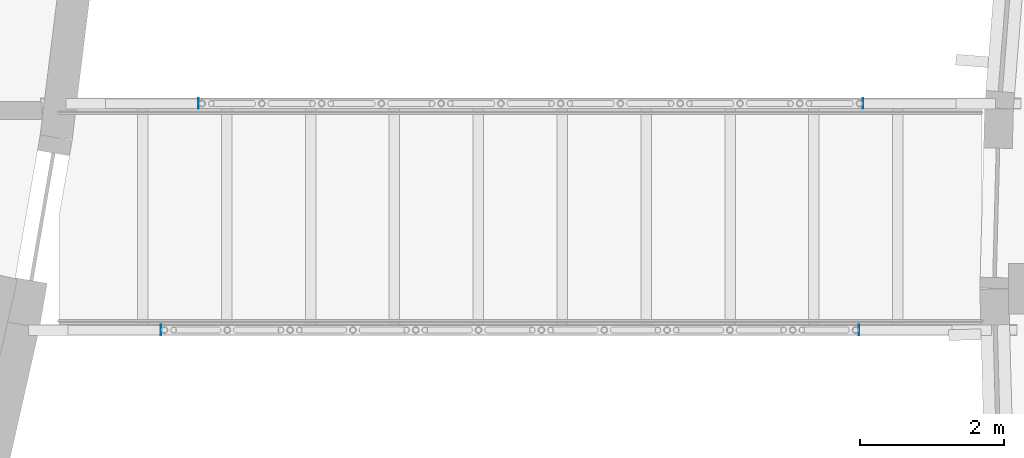
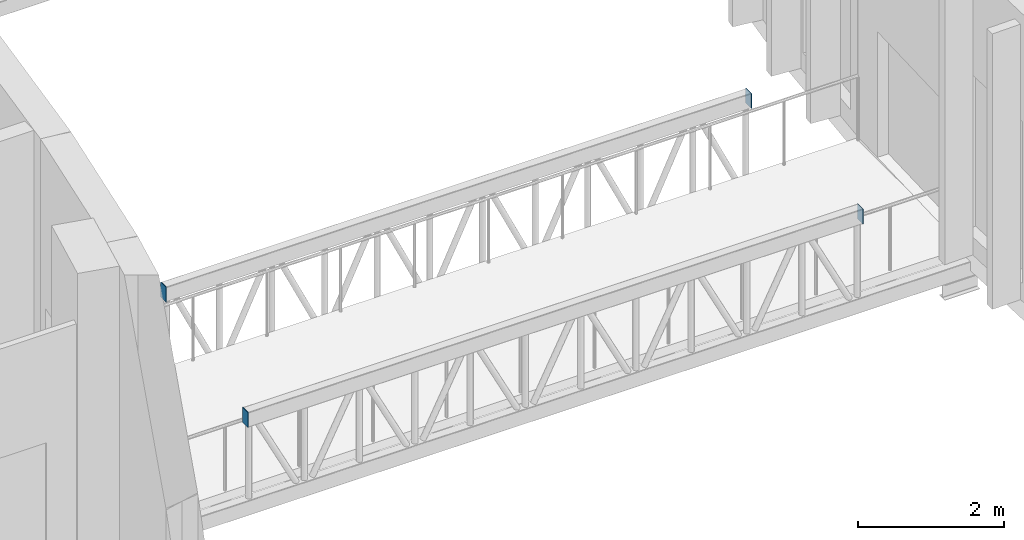
# One storey, part 49 of 93: 4 plates.
"""IFC4 building model written with IfcOpenShell, lengths in metres."""

import ifcopenshell
import ifcopenshell.guid

model = None  # the IFC model being written
_history = None  # IfcOwnerHistory: only IFC2X3 demands one
_inside = {}  # id of a spatial element -> (the spatial element, [elements in it])
_under = {}  # id of a project, library or spatial element -> (it, [spatial elements below it])
_declared = {}  # id of a project -> (the project, [libraries it declares])
_typed = {}  # id of a type object -> (the type object, [elements of that type])
_made_of = {}  # id of a material, layer set ... -> (it, [elements and type objects made of it])


def new_model(schema):
    """Start an empty IFC model of exactly this schema.

    Asked for "IFC4X3", IfcOpenShell would pick the latest addendum, in which some entities
    have other attributes; the version numbers below select the first issue.
    IFC2X3 requires an IfcOwnerHistory on every rooted entity: one is made here for all.
    """
    global model, _history
    if schema == "IFC4X3":
        model = ifcopenshell.file(schema_version=(4, 3, 0, 0))
    else:
        model = ifcopenshell.file(schema=schema)
    _inside.clear()
    _under.clear()
    _declared.clear()
    _typed.clear()
    _made_of.clear()
    _history = None
    if model.schema == "IFC2X3":
        org = make("IfcOrganization", Name="unknown")
        user = make(
            "IfcPersonAndOrganization",
            ThePerson=make("IfcPerson", FamilyName="unknown"),
            TheOrganization=org,
        )
        app = make(
            "IfcApplication",
            ApplicationDeveloper=org,
            Version="unknown",
            ApplicationFullName="unknown",
            ApplicationIdentifier="unknown",
        )
        _history = make(
            "IfcOwnerHistory",
            OwningUser=user,
            OwningApplication=app,
            ChangeAction="ADDED",
            CreationDate=0,
        )
    return model


def make(cls, **values):
    """One entity of the class cls with the attributes given. An attribute that is None is left unset."""
    return model.create_entity(
        cls, **{name: value for name, value in values.items() if value is not None}
    )


def rooted(cls, **values):
    """An entity with a GlobalId (a new one), such as an element, a storey or a relation."""
    return make(cls, GlobalId=ifcopenshell.guid.new(), OwnerHistory=_history, **values)


def si_unit(unit_type, name, prefix=None):
    """IfcSIUnit, for example si_unit("LENGTHUNIT", "METRE", prefix="MILLI")."""
    return make("IfcSIUnit", UnitType=unit_type, Prefix=prefix, Name=name)


def assignment(units):
    """IfcUnitAssignment: the units of a project."""
    return None if units is None else make("IfcUnitAssignment", Units=units)


def point(xyz):
    """IfcCartesianPoint."""
    return None if xyz is None else make("IfcCartesianPoint", Coordinates=xyz)


def direction(xyz):
    """IfcDirection."""
    return None if xyz is None else make("IfcDirection", DirectionRatios=xyz)


def frame(location, z_axis=None, x_axis=None):
    """IfcAxis2Placement3D, a coordinate frame: its origin and axes. An axis left out is left unset."""
    return make(
        "IfcAxis2Placement3D",
        Location=point(location),
        Axis=direction(z_axis),
        RefDirection=direction(x_axis),
    )


def frame_2d(location, x_axis=None):
    """IfcAxis2Placement2D, a coordinate frame in the plane: its origin and x axis."""
    return make(
        "IfcAxis2Placement2D", Location=point(location), RefDirection=direction(x_axis)
    )


def origin():
    """The frame at (0, 0, 0) with its axes left unset."""
    return frame((0.0, 0.0, 0.0))


def origin_2d():
    """The frame at (0, 0) in the plane with its x axis left unset."""
    return frame_2d((0.0, 0.0))


def place(relative_to, where):
    """IfcLocalPlacement: puts the frame where relative to a parent placement (None: the world)."""
    return make(
        "IfcLocalPlacement", PlacementRelTo=relative_to, RelativePlacement=where
    )


def context(
    kind, dimensions, precision=None, world=None, true_north=None, identifier=None
):
    """IfcGeometricRepresentationContext, for example the 3D "Model" context."""
    return make(
        "IfcGeometricRepresentationContext",
        ContextIdentifier=identifier,
        ContextType=kind,
        CoordinateSpaceDimension=dimensions,
        Precision=precision,
        WorldCoordinateSystem=world,
        TrueNorth=true_north,
    )


def subcontext(parent, identifier, kind, view, scale=None):
    """IfcGeometricRepresentationSubContext, for example "Body" below "Model"."""
    return make(
        "IfcGeometricRepresentationSubContext",
        ContextIdentifier=identifier,
        ContextType=kind,
        ParentContext=parent,
        TargetScale=scale,
        TargetView=view,
    )


def project(units=None, contexts=None):
    """IfcProject with its units and contexts."""
    return rooted(
        "IfcProject",
        Name="project",
        RepresentationContexts=contexts,
        UnitsInContext=assignment(units),
    )


def spatial(cls, under=None, at=None, **own):
    """A site, building, storey or space (cls), placed at a placement, below another one or the project."""
    s = rooted(cls, ObjectPlacement=at, **own)
    if under is not None:
        _under.setdefault(under.id(), (under, []))[1].append(s)
    return s


def profile(cls, at=None, kind="AREA", **sizes):
    """A parametric profile (cls). Its sizes go by their IFC names, for example OverallWidth=200.0."""
    return make(cls, ProfileType=kind, Position=at, **sizes)


def rectangle(**sizes):
    """IfcRectangleProfileDef."""
    return profile("IfcRectangleProfileDef", **sizes)


def extrude(swept, where, along, depth):
    """IfcExtrudedAreaSolid: the profile swept, set in the frame where, extruded along a direction by depth."""
    return make(
        "IfcExtrudedAreaSolid",
        SweptArea=swept,
        Position=where,
        ExtrudedDirection=direction(along),
        Depth=depth,
    )


def shape(context_of_items, identifier, shape_type, items):
    """IfcShapeRepresentation: the items that make up one representation, for example the "Body"."""
    return make(
        "IfcShapeRepresentation",
        ContextOfItems=context_of_items,
        RepresentationIdentifier=identifier,
        RepresentationType=shape_type,
        Items=items,
    )


def material(Name=None, Category=None):
    """IfcMaterial."""
    return make("IfcMaterial", Name=Name, Category=Category)


def layer(
    of_material, thickness, ventilated=None, Name=None, Category=None, Priority=None
):
    """IfcMaterialLayer: one layer of a wall or slab, of a material (None: an air gap)."""
    return make(
        "IfcMaterialLayer",
        Material=of_material,
        LayerThickness=thickness,
        IsVentilated=ventilated,
        Name=Name,
        Category=Category,
        Priority=Priority,
    )


def layer_set(layers, Name=None):
    """IfcMaterialLayerSet."""
    return make("IfcMaterialLayerSet", MaterialLayers=layers, LayerSetName=Name)


def made_of(thing, what):
    """Note that an element or type object is made of a material, layer set ...; save() writes the relation."""
    if what is not None:
        _made_of.setdefault(what.id(), (what, []))[1].append(thing)
    return thing


def type_object(cls, material=None, **own):
    """A type object (cls), such as IfcWallType, which elements share."""
    return made_of(rooted(cls, **own), material)


def element(
    cls,
    number,
    at=None,
    inside=None,
    cuts=None,
    type_object=None,
    material=None,
    context=None,
    identifier="Body",
    shape_type=None,
    held_by="IfcProductDefinitionShape",
    body=None,
    shapes=None,
    **own,
):
    """One element of the class cls, such as IfcWall. Its Tag is "e" and its number.

    at: its placement. inside: the storey or other place that contains it. cuts: it is an
    opening in that element (IfcRelVoidsElement). A single representation is given by context,
    identifier, shape_type and body (its items); several are given by shapes. held_by: the class
    of the entity that holds the representations. save() writes the other relations.
    """
    e = rooted(cls, Tag="e%d" % number, ObjectPlacement=at, **own)
    if body is not None:
        shapes = [shape(context, identifier, shape_type, body)]
    if shapes is not None:
        e.Representation = make(held_by, Representations=shapes)
    if inside is not None:
        _inside.setdefault(inside.id(), (inside, []))[1].append(e)
    if cuts is not None:
        rooted(
            "IfcRelVoidsElement", RelatingBuildingElement=cuts, RelatedOpeningElement=e
        )
    if type_object is not None:
        _typed.setdefault(type_object.id(), (type_object, []))[1].append(e)
    return made_of(e, material)


def aggregate(whole, parts):
    """IfcRelAggregates: a whole, such as a stair, and the parts it consists of."""
    return rooted("IfcRelAggregates", RelatingObject=whole, RelatedObjects=parts)


def save(model, path):
    """Write the relations noted so far, then the file.

    IfcRelAggregates (storeys below a building ...), IfcRelContainedInSpatialStructure (elements
    in a storey), IfcRelDefinesByType, IfcRelAssociatesMaterial and IfcRelDeclares: one each for
    every whole, place, type object, material and project.
    """
    for whole, parts in _under.values():
        aggregate(whole, parts)
    for where, things in _inside.values():
        rooted(
            "IfcRelContainedInSpatialStructure",
            RelatedElements=things,
            RelatingStructure=where,
        )
    for kind, things in _typed.values():
        rooted("IfcRelDefinesByType", RelatedObjects=things, RelatingType=kind)
    for what, things in _made_of.values():
        rooted("IfcRelAssociatesMaterial", RelatedObjects=things, RelatingMaterial=what)
    for by, libraries in _declared.values():
        rooted("IfcRelDeclares", RelatingContext=by, RelatedDefinitions=libraries)
    model.write(path)


model = new_model("IFC4")

# Units and contexts
model_context = context("Model", 3, precision=1e-05, world=origin(), true_north=direction((0.0, 1.0)))
body_context = subcontext(model_context, "Body", "Model", "MODEL_VIEW")
ifc_project = project(units=[si_unit("LENGTHUNIT", "METRE"), si_unit("AREAUNIT", "SQUARE_METRE"), si_unit("VOLUMEUNIT", "CUBIC_METRE"), si_unit("PLANEANGLEUNIT", "RADIAN"), si_unit("MASSUNIT", "GRAM", prefix="KILO")], contexts=[model_context])

# Site, building, storey
site_placement = place(None, origin())
site = spatial("IfcSite", under=ifc_project, at=site_placement, CompositionType="ELEMENT")
building_placement = place(site_placement, origin())
building = spatial("IfcBuilding", under=site, at=building_placement, Name="Tide Square Theatres", CompositionType="ELEMENT")
storey_placement = place(building_placement, frame((0.0, 0.0, 5.39990234375)))
storey = spatial("IfcBuildingStorey", under=building, at=storey_placement, Name="L01", CompositionType="ELEMENT", Elevation=5.39990234375)

# Plates
ifc_material = material(Name="Steel ASTM A572 Grade 50", Category="steel")
ifc_layer = layer(ifc_material, 0.010009765625)
ifc_layer_set = layer_set([ifc_layer], Name="Steel ASTM A572 Grade 50")
plate_type = type_object("IfcPlateType", Name="Steel end plate 10 thick", PredefinedType="USERDEFINED", material=ifc_layer_set)
for number, where, z_axis, x_axis, name in (
    (1, (115.74853515625, 47.574951171875, 1.0751953125), (0.0, 0.0, 1.0), (1.0, 0.0, 0.0), "Bridge BR-E2 top chord end plate"),
    (2, (106.5068359375, 47.574951171875, 1.0751953125), (0.0, 0.0, 1.0), (-1.0, 0.0, 0.0), "Bridge BR-E2 top chord end plate"),
    (3, (115.693115234375, 44.425048828125, 1.0751953125), (0.0, 0.0, 1.0), (1.0, 0.0, 0.0), "Bridge BR-E2 top chord end plate"),
    (4, (105.983642578125, 44.425048828125, 1.0751953125), (0.0, 0.0, 1.0), (-1.0, 0.0, 0.0), "Bridge BR-E2 top chord end plate"),
):
    element("IfcPlate", number, at=place(storey_placement, frame(where, z_axis=z_axis, x_axis=x_axis)), inside=storey, type_object=plate_type, Name=name, ObjectType="END PLATE", PredefinedType="USERDEFINED", context=body_context, shape_type="SweptSolid", body=[
        extrude(rectangle(XDim=0.010009765625, YDim=0.14990234375, at=origin_2d()), origin(), (0.0, 0.0, 1.0), 0.25),
    ])

save(model, "model.ifc")
